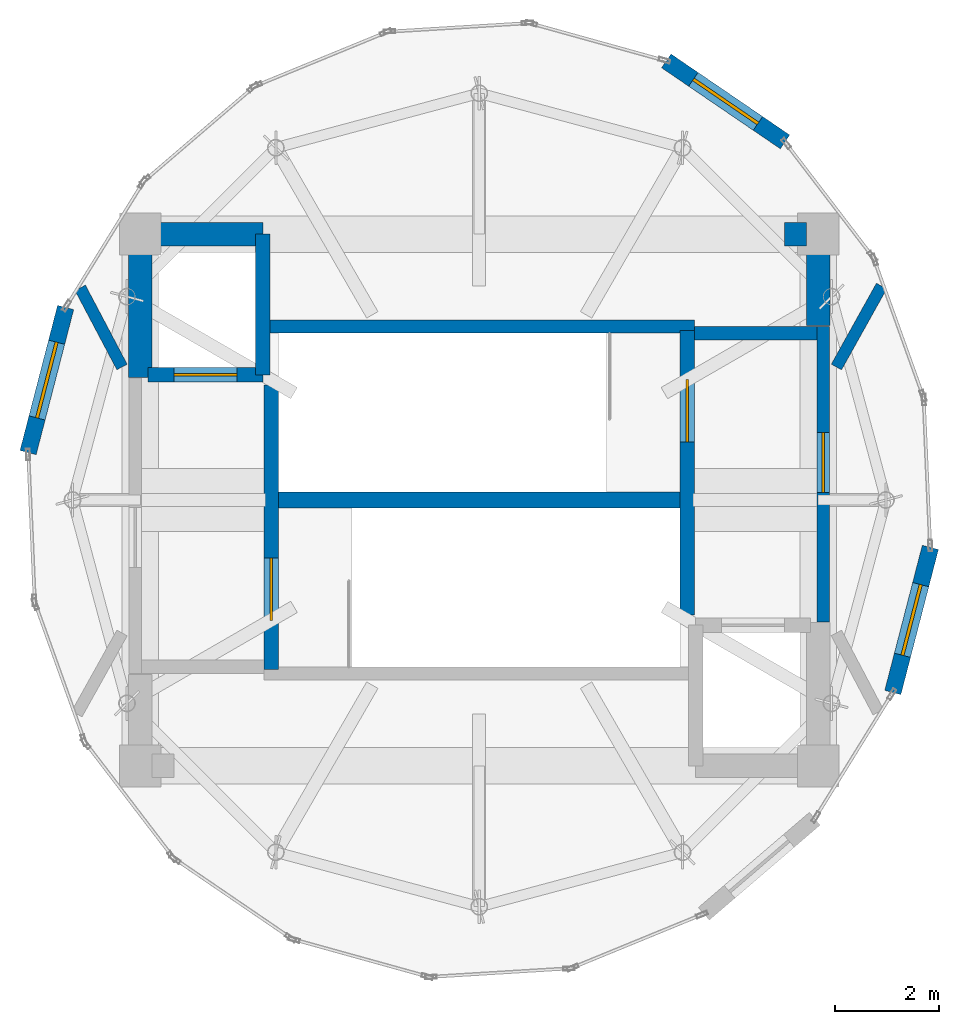
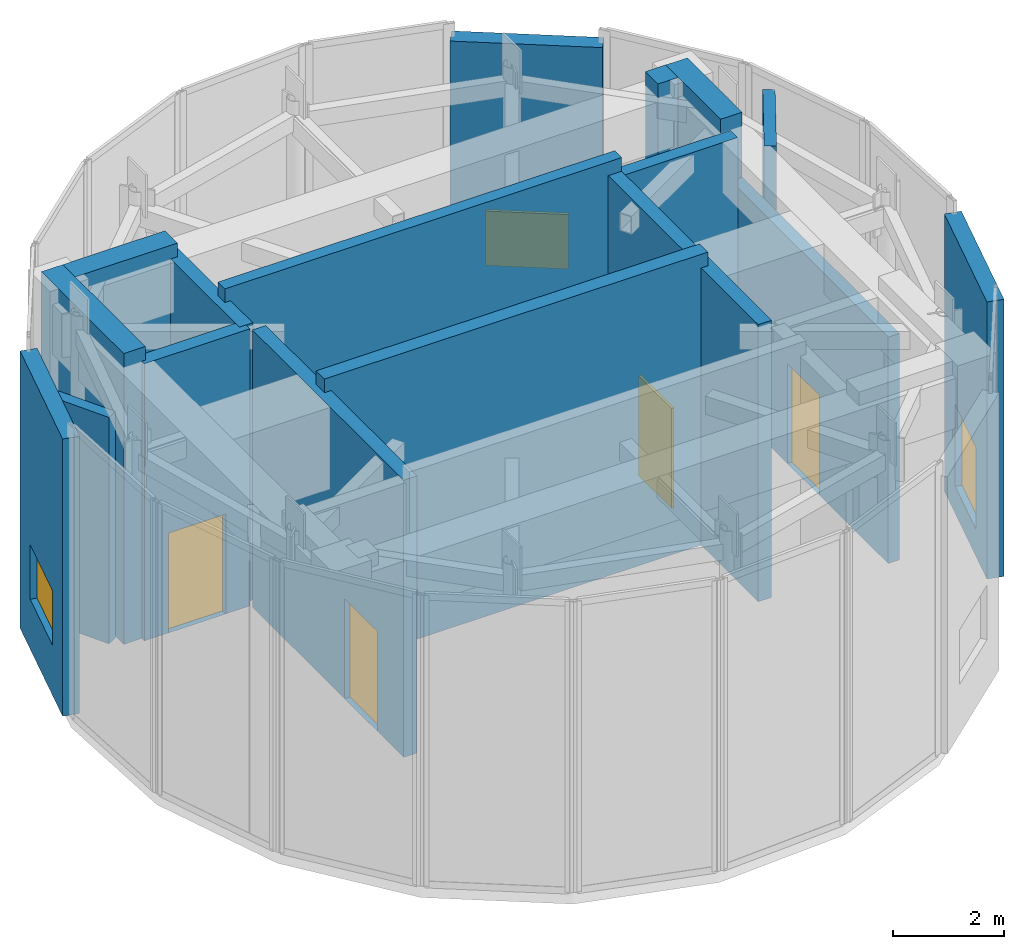
# One storey, part 6 of 7: 17 walls, 4 doors, 3 windows, 7 openings.
"""IFC4 building model written with IfcOpenShell, lengths in metres."""

import ifcopenshell
import ifcopenshell.guid

model = None  # the IFC model being written
_history = None  # IfcOwnerHistory: only IFC2X3 demands one
_inside = {}  # id of a spatial element -> (the spatial element, [elements in it])
_under = {}  # id of a project, library or spatial element -> (it, [spatial elements below it])
_declared = {}  # id of a project -> (the project, [libraries it declares])
_typed = {}  # id of a type object -> (the type object, [elements of that type])
_made_of = {}  # id of a material, layer set ... -> (it, [elements and type objects made of it])


def new_model(schema):
    """Start an empty IFC model of exactly this schema.

    Asked for "IFC4X3", IfcOpenShell would pick the latest addendum, in which some entities
    have other attributes; the version numbers below select the first issue.
    IFC2X3 requires an IfcOwnerHistory on every rooted entity: one is made here for all.
    """
    global model, _history
    if schema == "IFC4X3":
        model = ifcopenshell.file(schema_version=(4, 3, 0, 0))
    else:
        model = ifcopenshell.file(schema=schema)
    _inside.clear()
    _under.clear()
    _declared.clear()
    _typed.clear()
    _made_of.clear()
    _history = None
    if model.schema == "IFC2X3":
        org = make("IfcOrganization", Name="unknown")
        user = make(
            "IfcPersonAndOrganization",
            ThePerson=make("IfcPerson", FamilyName="unknown"),
            TheOrganization=org,
        )
        app = make(
            "IfcApplication",
            ApplicationDeveloper=org,
            Version="unknown",
            ApplicationFullName="unknown",
            ApplicationIdentifier="unknown",
        )
        _history = make(
            "IfcOwnerHistory",
            OwningUser=user,
            OwningApplication=app,
            ChangeAction="ADDED",
            CreationDate=0,
        )
    return model


def make(cls, **values):
    """One entity of the class cls with the attributes given. An attribute that is None is left unset."""
    return model.create_entity(
        cls, **{name: value for name, value in values.items() if value is not None}
    )


def rooted(cls, **values):
    """An entity with a GlobalId (a new one), such as an element, a storey or a relation."""
    return make(cls, GlobalId=ifcopenshell.guid.new(), OwnerHistory=_history, **values)


def si_unit(unit_type, name, prefix=None):
    """IfcSIUnit, for example si_unit("LENGTHUNIT", "METRE", prefix="MILLI")."""
    return make("IfcSIUnit", UnitType=unit_type, Prefix=prefix, Name=name)


def assignment(units):
    """IfcUnitAssignment: the units of a project."""
    return None if units is None else make("IfcUnitAssignment", Units=units)


def point(xyz):
    """IfcCartesianPoint."""
    return None if xyz is None else make("IfcCartesianPoint", Coordinates=xyz)


def direction(xyz):
    """IfcDirection."""
    return None if xyz is None else make("IfcDirection", DirectionRatios=xyz)


def frame(location, z_axis=None, x_axis=None):
    """IfcAxis2Placement3D, a coordinate frame: its origin and axes. An axis left out is left unset."""
    return make(
        "IfcAxis2Placement3D",
        Location=point(location),
        Axis=direction(z_axis),
        RefDirection=direction(x_axis),
    )


def frame_2d(location, x_axis=None):
    """IfcAxis2Placement2D, a coordinate frame in the plane: its origin and x axis."""
    return make(
        "IfcAxis2Placement2D", Location=point(location), RefDirection=direction(x_axis)
    )


def origin():
    """The frame at (0, 0, 0) with its axes left unset."""
    return frame((0.0, 0.0, 0.0))


def place(relative_to, where):
    """IfcLocalPlacement: puts the frame where relative to a parent placement (None: the world)."""
    return make(
        "IfcLocalPlacement", PlacementRelTo=relative_to, RelativePlacement=where
    )


def context(
    kind, dimensions, precision=None, world=None, true_north=None, identifier=None
):
    """IfcGeometricRepresentationContext, for example the 3D "Model" context."""
    return make(
        "IfcGeometricRepresentationContext",
        ContextIdentifier=identifier,
        ContextType=kind,
        CoordinateSpaceDimension=dimensions,
        Precision=precision,
        WorldCoordinateSystem=world,
        TrueNorth=true_north,
    )


def subcontext(parent, identifier, kind, view, scale=None):
    """IfcGeometricRepresentationSubContext, for example "Body" below "Model"."""
    return make(
        "IfcGeometricRepresentationSubContext",
        ContextIdentifier=identifier,
        ContextType=kind,
        ParentContext=parent,
        TargetScale=scale,
        TargetView=view,
    )


def project(units=None, contexts=None):
    """IfcProject with its units and contexts."""
    return rooted(
        "IfcProject",
        Name="project",
        RepresentationContexts=contexts,
        UnitsInContext=assignment(units),
    )


def spatial(cls, under=None, at=None, **own):
    """A site, building, storey or space (cls), placed at a placement, below another one or the project."""
    s = rooted(cls, ObjectPlacement=at, **own)
    if under is not None:
        _under.setdefault(under.id(), (under, []))[1].append(s)
    return s


def profile(cls, at=None, kind="AREA", **sizes):
    """A parametric profile (cls). Its sizes go by their IFC names, for example OverallWidth=200.0."""
    return make(cls, ProfileType=kind, Position=at, **sizes)


def rectangle(**sizes):
    """IfcRectangleProfileDef."""
    return profile("IfcRectangleProfileDef", **sizes)


def extrude(swept, where, along, depth):
    """IfcExtrudedAreaSolid: the profile swept, set in the frame where, extruded along a direction by depth."""
    return make(
        "IfcExtrudedAreaSolid",
        SweptArea=swept,
        Position=where,
        ExtrudedDirection=direction(along),
        Depth=depth,
    )


def shape(context_of_items, identifier, shape_type, items):
    """IfcShapeRepresentation: the items that make up one representation, for example the "Body"."""
    return make(
        "IfcShapeRepresentation",
        ContextOfItems=context_of_items,
        RepresentationIdentifier=identifier,
        RepresentationType=shape_type,
        Items=items,
    )


def material(Name=None, Category=None):
    """IfcMaterial."""
    return make("IfcMaterial", Name=Name, Category=Category)


def layer(
    of_material, thickness, ventilated=None, Name=None, Category=None, Priority=None
):
    """IfcMaterialLayer: one layer of a wall or slab, of a material (None: an air gap)."""
    return make(
        "IfcMaterialLayer",
        Material=of_material,
        LayerThickness=thickness,
        IsVentilated=ventilated,
        Name=Name,
        Category=Category,
        Priority=Priority,
    )


def layer_set(layers, Name=None):
    """IfcMaterialLayerSet."""
    return make("IfcMaterialLayerSet", MaterialLayers=layers, LayerSetName=Name)


def made_of(thing, what):
    """Note that an element or type object is made of a material, layer set ...; save() writes the relation."""
    if what is not None:
        _made_of.setdefault(what.id(), (what, []))[1].append(thing)
    return thing


def type_object(cls, material=None, **own):
    """A type object (cls), such as IfcWallType, which elements share."""
    return made_of(rooted(cls, **own), material)


def element(
    cls,
    number,
    at=None,
    inside=None,
    cuts=None,
    type_object=None,
    material=None,
    context=None,
    identifier="Body",
    shape_type=None,
    held_by="IfcProductDefinitionShape",
    body=None,
    shapes=None,
    **own,
):
    """One element of the class cls, such as IfcWall. Its Tag is "e" and its number.

    at: its placement. inside: the storey or other place that contains it. cuts: it is an
    opening in that element (IfcRelVoidsElement). A single representation is given by context,
    identifier, shape_type and body (its items); several are given by shapes. held_by: the class
    of the entity that holds the representations. save() writes the other relations.
    """
    e = rooted(cls, Tag="e%d" % number, ObjectPlacement=at, **own)
    if body is not None:
        shapes = [shape(context, identifier, shape_type, body)]
    if shapes is not None:
        e.Representation = make(held_by, Representations=shapes)
    if inside is not None:
        _inside.setdefault(inside.id(), (inside, []))[1].append(e)
    if cuts is not None:
        rooted(
            "IfcRelVoidsElement", RelatingBuildingElement=cuts, RelatedOpeningElement=e
        )
    if type_object is not None:
        _typed.setdefault(type_object.id(), (type_object, []))[1].append(e)
    return made_of(e, material)


def fill(opening, filler):
    """IfcRelFillsElement: the door or window that sits in an opening."""
    return rooted(
        "IfcRelFillsElement",
        RelatingOpeningElement=opening,
        RelatedBuildingElement=filler,
    )


def aggregate(whole, parts):
    """IfcRelAggregates: a whole, such as a stair, and the parts it consists of."""
    return rooted("IfcRelAggregates", RelatingObject=whole, RelatedObjects=parts)


def save(model, path):
    """Write the relations noted so far, then the file.

    IfcRelAggregates (storeys below a building ...), IfcRelContainedInSpatialStructure (elements
    in a storey), IfcRelDefinesByType, IfcRelAssociatesMaterial and IfcRelDeclares: one each for
    every whole, place, type object, material and project.
    """
    for whole, parts in _under.values():
        aggregate(whole, parts)
    for where, things in _inside.values():
        rooted(
            "IfcRelContainedInSpatialStructure",
            RelatedElements=things,
            RelatingStructure=where,
        )
    for kind, things in _typed.values():
        rooted("IfcRelDefinesByType", RelatedObjects=things, RelatingType=kind)
    for what, things in _made_of.values():
        rooted("IfcRelAssociatesMaterial", RelatedObjects=things, RelatingMaterial=what)
    for by, libraries in _declared.values():
        rooted("IfcRelDeclares", RelatingContext=by, RelatedDefinitions=libraries)
    model.write(path)


model = new_model("IFC4")

# Units and contexts
model_context = context("Model", 3, precision=1e-05, world=origin(), true_north=direction((0.0, 1.0)))
body_context = subcontext(model_context, "Body", "Model", "MODEL_VIEW")
ifc_project = project(units=[si_unit("LENGTHUNIT", "METRE"), si_unit("AREAUNIT", "SQUARE_METRE"), si_unit("VOLUMEUNIT", "CUBIC_METRE"), si_unit("PLANEANGLEUNIT", "RADIAN"), si_unit("MASSUNIT", "GRAM", prefix="KILO")], contexts=[model_context])

# Site, building, storey
site_placement = place(None, origin())
site = spatial("IfcSite", under=ifc_project, at=site_placement, CompositionType="ELEMENT")
building_placement = place(site_placement, origin())
building = spatial("IfcBuilding", under=site, at=building_placement, Name="Solvirekh Grand Hotel", CompositionType="ELEMENT")
storey_placement = place(building_placement, frame((0.0, 0.0, 333.800048828125)))
storey = spatial("IfcBuildingStorey", under=building, at=storey_placement, Name="L83", CompositionType="ELEMENT", Elevation=333.800048828125)

# Wall
ifc_material_1 = material(Name="Concrete C50/60", Category="concrete")
ifc_layer_1 = layer(ifc_material_1, 0.35009765625)
ifc_layer_set_1 = layer_set([ifc_layer_1], Name="Concrete C50/60")
wall_type_1 = type_object("IfcWallType", Name="CoreDivWall_RC350", PredefinedType="SOLIDWALL", material=ifc_layer_set_1)
wall_1_placement = place(storey_placement, frame((-4.1298828125, 3.324951171875, 0.0), z_axis=(0.0, 0.0, 1.0), x_axis=(1.0, 0.0, 0.0)))
element("IfcWall", 1, at=wall_1_placement, inside=storey, type_object=wall_type_1, Name="L83 core stair box wall ST-N", PredefinedType="SOLIDWALL", context=body_context, shape_type="SweptSolid", body=[
    extrude(rectangle(XDim=8.259765625, YDim=0.25, at=frame_2d((4.1298828125, 0.0))), origin(), (0.0, 0.0, 1.0), 6.39990234375),
])

# Wall, opening, door
ifc_material_2 = material(Name="Concrete C40/50", Category="concrete")
ifc_layer_2 = layer(ifc_material_2, 0.280029296875)
ifc_layer_set_2 = layer_set([ifc_layer_2], Name="Concrete C40/50")
wall_type_2 = type_object("IfcWallType", Name="CoreShaftWall_RC280", PredefinedType="SOLIDWALL", material=ifc_layer_set_2)
wall_2_placement = place(storey_placement, frame((-6.35009765625, 2.39990234375, 0.0), z_axis=(0.0, 0.0, 1.0), x_axis=(1.0, 0.0, 0.0)))
wall_2 = element("IfcWall", 2, at=wall_2_placement, inside=storey, type_object=wall_type_2, Name="L83 FL-1 hoistway S wall", PredefinedType="SOLIDWALL", context=body_context, shape_type="SweptSolid", body=[
    extrude(rectangle(XDim=2.2001953125, YDim=0.280029296875, at=frame_2d((1.10009765625, 0.0))), origin(), (0.0, 0.0, 1.0), 6.099853515625),
])
opening_1_placement = place(wall_2_placement, frame((0.5, 0.0, 0.0)))
opening_1 = element("IfcOpeningElement", 3, at=opening_1_placement, cuts=wall_2, Name="Opening LD02", PredefinedType="OPENING", context=body_context, shape_type="SweptSolid", body=[
    extrude(rectangle(XDim=1.199951171875, YDim=2.199951171875, at=frame_2d((0.60009765625, 1.10009765625))), frame((0.0, 0.14990234375, 0.0), z_axis=(0.0, -1.0, 0.0), x_axis=(1.0, 0.0, 0.0)), (0.0, 0.0, 1.0), 0.300048828125),
])
ifc_material_3 = material(Name="Fire-Rated Steel Door Assembly", Category="steel")
door_type_1 = type_object("IfcDoorType", Name="Door_LiftFF_1200X2200", OperationType="SLIDING_TO_LEFT", PredefinedType="DOOR", material=ifc_material_3)
door_1_placement = place(opening_1_placement, origin())
door_1 = element("IfcDoor", 4, at=door_1_placement, inside=storey, type_object=door_type_1, Name="L83 FL-1 sliding lift landing door", OperationType="SLIDING_TO_LEFT", OverallHeight=2.199951171875, OverallWidth=1.199951171875, PredefinedType="DOOR", context=body_context, shape_type="SweptSolid", body=[
    extrude(rectangle(XDim=1.199951171875, YDim=2.199951171875, at=frame_2d((0.60009765625, 1.10009765625))), frame((0.0, 0.02490234375, 0.0), z_axis=(0.0, -1.0, 0.0), x_axis=(1.0, 0.0, 0.0)), (0.0, 0.0, 1.0), 0.050048828125),
])
fill(opening_1, door_1)

# Wall
wall_3_placement = place(storey_placement, frame((-4.14990234375, 2.39990234375, 0.0), z_axis=(0.0, 0.0, 1.0), x_axis=(0.0, 1.0, 0.0)))
element("IfcWall", 5, at=wall_3_placement, inside=storey, type_object=wall_type_2, Name="L83 FL-1 hoistway E wall", PredefinedType="SOLIDWALL", context=body_context, shape_type="SweptSolid", body=[
    extrude(rectangle(XDim=2.7001953125, YDim=0.280029296875, at=frame_2d((1.35009765625, 0.0))), origin(), (0.0, 0.0, 1.0), 6.099853515625),
])

# Wall, opening, door
wall_4_placement = place(storey_placement, frame((-3.989990234375, -3.25, 0.0), z_axis=(0.0, 0.0, 1.0), x_axis=(0.0, 1.0, 0.0)))
wall_4 = element("IfcWall", 6, at=wall_4_placement, inside=storey, type_object=wall_type_2, Name="L83 west stair landing enclosure wall", PredefinedType="SOLIDWALL", context=body_context, shape_type="SweptSolid", body=[
    extrude(rectangle(XDim=5.4599609375, YDim=0.280029296875, at=frame_2d((2.72998046875, 0.0))), origin(), (0.0, 0.0, 1.0), 6.099853515625),
])
opening_2_placement = place(wall_4_placement, frame((0.93701171875, 0.0, 0.0)))
opening_2 = element("IfcOpeningElement", 7, at=opening_2_placement, cuts=wall_4, Name="Opening D05", PredefinedType="OPENING", context=body_context, shape_type="SweptSolid", body=[
    extrude(rectangle(XDim=1.199951171875, YDim=2.199951171875, at=frame_2d((0.60009765625, 1.10009765625))), frame((0.0, 0.14990234375, 0.0), z_axis=(0.0, -1.0, 0.0), x_axis=(1.0, 0.0, 0.0)), (0.0, 0.0, 1.0), 0.300048828125),
])
door_type_2 = type_object("IfcDoorType", Name="Door_StairCore_1200X2200", OperationType="NOTDEFINED", PredefinedType="DOOR", material=ifc_material_3)
door_2_placement = place(opening_2_placement, origin())
door_2 = element("IfcDoor", 8, at=door_2_placement, inside=storey, type_object=door_type_2, Name="L83 exit stair ST-1 fire door", OperationType="SINGLE_SWING_RIGHT", OverallHeight=2.199951171875, OverallWidth=1.199951171875, PredefinedType="DOOR", context=body_context, shape_type="SweptSolid", body=[
    extrude(rectangle(XDim=1.199951171875, YDim=2.199951171875, at=frame_2d((0.60009765625, 1.10009765625))), frame((0.0, 0.02490234375, 0.0), z_axis=(0.0, -1.0, 0.0), x_axis=(1.0, 0.0, 0.0)), (0.0, 0.0, 1.0), 0.050048828125),
])
fill(opening_2, door_2)

wall_5_placement = place(storey_placement, frame((3.989990234375, -2.2099609375, 0.0), z_axis=(0.0, 0.0, 1.0), x_axis=(0.0, 1.0, 0.0)))
wall_5 = element("IfcWall", 9, at=wall_5_placement, inside=storey, type_object=wall_type_2, Name="L83 east stair landing enclosure wall", PredefinedType="SOLIDWALL", context=body_context, shape_type="SweptSolid", body=[
    extrude(rectangle(XDim=5.4599609375, YDim=0.280029296875, at=frame_2d((2.72998046875, 0.0))), origin(), (0.0, 0.0, 1.0), 6.099853515625),
])
opening_3_placement = place(wall_5_placement, frame((3.322998046875, 0.0, 0.0)))
opening_3 = element("IfcOpeningElement", 10, at=opening_3_placement, cuts=wall_5, Name="Opening D05", PredefinedType="OPENING", context=body_context, shape_type="SweptSolid", body=[
    extrude(rectangle(XDim=1.199951171875, YDim=2.199951171875, at=frame_2d((0.60009765625, 1.10009765625))), frame((0.0, 0.14990234375, 0.0), z_axis=(0.0, -1.0, 0.0), x_axis=(1.0, 0.0, 0.0)), (0.0, 0.0, 1.0), 0.300048828125),
])
door_3_placement = place(opening_3_placement, origin())
door_3 = element("IfcDoor", 11, at=door_3_placement, inside=storey, type_object=door_type_2, Name="L83 exit stair ST-2 fire door", OperationType="SINGLE_SWING_LEFT", OverallHeight=2.199951171875, OverallWidth=1.199951171875, PredefinedType="DOOR", context=body_context, shape_type="SweptSolid", body=[
    extrude(rectangle(XDim=1.199951171875, YDim=2.199951171875, at=frame_2d((0.60009765625, 1.10009765625))), frame((0.0, 0.02490234375, 0.0), z_axis=(0.0, -1.0, 0.0), x_axis=(1.0, 0.0, 0.0)), (0.0, 0.0, 1.0), 0.050048828125),
])
fill(opening_3, door_3)

# Walls
ifc_layer_3 = layer(ifc_material_1, 0.449951171875)
ifc_layer_set_3 = layer_set([ifc_layer_3], Name="Concrete C50/60")
wall_type_3 = type_object("IfcWallType", Name="CoreWall_RC450", PredefinedType="SHEAR", material=ifc_layer_set_3)
wall_6_placement = place(storey_placement, frame((-3.989990234375, 0.0, 0.0), z_axis=(0.0, 0.0, 1.0), x_axis=(1.0, 0.0, 0.0)))
element("IfcWall", 12, at=wall_6_placement, inside=storey, type_object=wall_type_3, Name="L83 central stair-spine shear wall", PredefinedType="SHEAR", context=body_context, shape_type="SweptSolid", body=[
    extrude(rectangle(XDim=7.97998046875, YDim=0.300048828125, at=frame_2d((3.989990234375, 0.0))), origin(), (0.0, 0.0, 1.0), 6.39990234375),
])
wall_7_placement = place(storey_placement, frame((-6.27490234375, 5.10009765625, 0.0), z_axis=(0.0, 0.0, 1.0), x_axis=(1.0, 0.0, 0.0)))
element("IfcWall", 13, at=wall_7_placement, inside=storey, type_object=wall_type_3, Name="L83 core corner shear wall NW-N", PredefinedType="SHEAR", context=body_context, shape_type="SweptSolid", body=[
    extrude(rectangle(XDim=2.125, YDim=0.449951171875, at=frame_2d((1.0625, 0.0))), origin(), (0.0, 0.0, 1.0), 6.39990234375),
])
wall_8_placement = place(storey_placement, frame((5.85009765625, 5.10009765625, 0.0), z_axis=(0.0, 0.0, 1.0), x_axis=(1.0, 0.0, 0.0)))
element("IfcWall", 14, at=wall_8_placement, inside=storey, type_object=wall_type_3, Name="L83 core corner shear wall NE-N", PredefinedType="SHEAR", context=body_context, shape_type="SweptSolid", body=[
    extrude(rectangle(XDim=0.4248046875, YDim=0.449951171875, at=frame_2d((0.21240234375, 0.0))), origin(), (0.0, 0.0, 1.0), 6.39990234375),
])
wall_9_placement = place(storey_placement, frame((-6.5, 2.35009765625, 0.0), z_axis=(0.0, 0.0, 1.0), x_axis=(0.0, 1.0, 0.0)))
element("IfcWall", 15, at=wall_9_placement, inside=storey, type_object=wall_type_3, Name="L83 core corner shear wall WN-W", PredefinedType="SHEAR", context=body_context, shape_type="SweptSolid", body=[
    extrude(rectangle(XDim=2.974853515625, YDim=0.449951171875, at=frame_2d((1.4873046875, 0.0))), origin(), (0.0, 0.0, 1.0), 6.39990234375),
])
wall_10_placement = place(storey_placement, frame((6.5, 3.35009765625, 0.0), z_axis=(0.0, 0.0, 1.0), x_axis=(0.0, 1.0, 0.0)))
element("IfcWall", 16, at=wall_10_placement, inside=storey, type_object=wall_type_3, Name="L83 core corner shear wall EN-E", PredefinedType="SHEAR", context=body_context, shape_type="SweptSolid", body=[
    extrude(rectangle(XDim=1.974853515625, YDim=0.449951171875, at=frame_2d((0.9873046875, 0.0))), origin(), (0.0, 0.0, 1.0), 6.39990234375),
])

# Wall, opening, window
ifc_material_4 = material(Name="Precast concrete C45/55", Category="concrete")
ifc_layer_4 = layer(ifc_material_4, 0.320068359375)
ifc_layer_set_4 = layer_set([ifc_layer_4], Name="Precast concrete C45/55")
wall_type_4 = type_object("IfcWallType", Name="ExtLobbyWall_RC320", PredefinedType="SOLIDWALL", material=ifc_layer_set_4)
wall_11_placement = place(storey_placement, frame((8.652099609375, -0.908935546875, 0.0), z_axis=(0.0, 0.0, 1.0), x_axis=(-0.250540655551, -0.968106078855, 0.0)))
wall_11 = element("IfcWall", 17, at=wall_11_placement, inside=storey, type_object=wall_type_4, Name="L83 exterior structural wall chord 5", PredefinedType="SOLIDWALL", context=body_context, shape_type="SweptSolid", body=[
    extrude(rectangle(XDim=2.874755859375, YDim=0.320068359375, at=frame_2d((1.4375, 0.0))), origin(), (0.0, 0.0, 1.0), 6.099853515625),
])
opening_4_placement = place(wall_11_placement, frame((0.737060546875, 0.0, 0.60009765625)))
opening_4 = element("IfcOpeningElement", 18, at=opening_4_placement, cuts=wall_11, Name="Opening SK03", PredefinedType="OPENING", context=body_context, shape_type="SweptSolid", body=[
    extrude(rectangle(XDim=1.39990234375, YDim=1.800048828125, at=frame_2d((0.699951171875, 0.89990234375))), frame((0.0, 0.169921875, 0.0), z_axis=(0.0, -1.0, 0.0), x_axis=(1.0, 0.0, 0.0)), (0.0, 0.0, 1.0), 0.340087890625),
])
ifc_material_5 = material(Name="Champagne Low-Iron Crown Laminated Glass", Category="glass")
window_type_1 = type_object("IfcWindowType", Name="Skylight_Crown_1400X1800", PartitioningType="SINGLE_PANEL", PredefinedType="SKYLIGHT", material=ifc_material_5)
window_1_placement = place(opening_4_placement, origin())
window_1 = element("IfcWindow", 19, at=window_1_placement, inside=storey, type_object=window_type_1, Name="L83 high-level clerestory skylight 5", OverallHeight=1.800048828125, OverallWidth=1.39990234375, PartitioningType="SINGLE_PANEL", PredefinedType="SKYLIGHT", context=body_context, shape_type="SweptSolid", body=[
    extrude(rectangle(XDim=1.39990234375, YDim=1.800048828125, at=frame_2d((0.699951171875, 0.89990234375))), frame((0.0, 0.030029296875, 0.0), z_axis=(0.0, -1.0, 0.0), x_axis=(1.0, 0.0, 0.0)), (0.0, 0.0, 1.0), 0.06005859375),
])
fill(opening_4, window_1)

wall_12_placement = place(storey_placement, frame((3.587890625, 8.4208984375, 0.0), z_axis=(0.0, 0.0, 1.0), x_axis=(0.826045469982, -0.563603478983, 0.0)))
wall_12 = element("IfcWall", 20, at=wall_12_placement, inside=storey, type_object=wall_type_4, Name="L83 exterior structural wall chord 9", PredefinedType="SOLIDWALL", context=body_context, shape_type="SweptSolid", body=[
    extrude(rectangle(XDim=2.75537109375, YDim=0.320068359375, at=frame_2d((1.377685546875, 0.0))), origin(), (0.0, 0.0, 1.0), 6.099853515625),
])
opening_5_placement = place(wall_12_placement, frame((0.6279296875, 0.0, 1.10009765625)))
opening_5 = element("IfcOpeningElement", 21, at=opening_5_placement, cuts=wall_12, Name="Opening W05", PredefinedType="OPENING", context=body_context, shape_type="SweptSolid", body=[
    extrude(rectangle(XDim=1.5, YDim=1.199951171875, at=frame_2d((0.75, 0.60009765625))), frame((0.0, 0.169921875, 0.0), z_axis=(0.0, -1.0, 0.0), x_axis=(1.0, 0.0, 0.0)), (0.0, 0.0, 1.0), 0.340087890625),
])
ifc_material_6 = material(Name="Low-E Tinted Bronze Laminated Glass", Category="aluminium")
window_type_2 = type_object("IfcWindowType", Name="Win_PlantVent_1500X1200", PartitioningType="SINGLE_PANEL", PredefinedType="WINDOW", material=ifc_material_6)
window_2_placement = place(opening_5_placement, origin())
window_2 = element("IfcWindow", 22, at=window_2_placement, inside=storey, type_object=window_type_2, Name="L83 mechanical louvre window 9", OverallHeight=1.199951171875, OverallWidth=1.5, PartitioningType="SINGLE_PANEL", PredefinedType="WINDOW", context=body_context, shape_type="SweptSolid", body=[
    extrude(rectangle(XDim=1.5, YDim=1.199951171875, at=frame_2d((0.75, 0.60009765625))), frame((0.0, 0.030029296875, 0.0), z_axis=(0.0, -1.0, 0.0), x_axis=(1.0, 0.0, 0.0)), (0.0, 0.0, 1.0), 0.06005859375),
])
fill(opening_5, window_2)

wall_13_placement = place(storey_placement, frame((-8.652099609375, 0.908935546875, 0.0), z_axis=(0.0, 0.0, 1.0), x_axis=(0.250540655551, 0.968106078855, 0.0)))
wall_13 = element("IfcWall", 23, at=wall_13_placement, inside=storey, type_object=wall_type_4, Name="L83 exterior structural wall chord 15", PredefinedType="SOLIDWALL", context=body_context, shape_type="SweptSolid", body=[
    extrude(rectangle(XDim=2.874755859375, YDim=0.320068359375, at=frame_2d((1.4375, 0.0))), origin(), (0.0, 0.0, 1.0), 6.099853515625),
])
opening_6_placement = place(wall_13_placement, frame((0.68701171875, 0.0, 1.10009765625)))
opening_6 = element("IfcOpeningElement", 24, at=opening_6_placement, cuts=wall_13, Name="Opening W05", PredefinedType="OPENING", context=body_context, shape_type="SweptSolid", body=[
    extrude(rectangle(XDim=1.5, YDim=1.199951171875, at=frame_2d((0.75, 0.60009765625))), frame((0.0, 0.169921875, 0.0), z_axis=(0.0, -1.0, 0.0), x_axis=(1.0, 0.0, 0.0)), (0.0, 0.0, 1.0), 0.340087890625),
])
window_3_placement = place(opening_6_placement, origin())
window_3 = element("IfcWindow", 25, at=window_3_placement, inside=storey, type_object=window_type_2, Name="L83 mechanical louvre window 15", OverallHeight=1.199951171875, OverallWidth=1.5, PartitioningType="SINGLE_PANEL", PredefinedType="WINDOW", context=body_context, shape_type="SweptSolid", body=[
    extrude(rectangle(XDim=1.5, YDim=1.199951171875, at=frame_2d((0.75, 0.60009765625))), frame((0.0, 0.030029296875, 0.0), z_axis=(0.0, -1.0, 0.0), x_axis=(1.0, 0.0, 0.0)), (0.0, 0.0, 1.0), 0.06005859375),
])
fill(opening_6, window_3)

# Wall, opening, door
ifc_material_7 = material(Name="Acoustic Gypsum Partition Assembly")
ifc_layer_5 = layer(ifc_material_7, 0.239990234375)
ifc_layer_set_5 = layer_set([ifc_layer_5], Name="Acoustic Gypsum Partition Assembly")
wall_type_5 = type_object("IfcWallType", Name="Part_Corridor_240", PredefinedType="PARTITIONING", material=ifc_layer_set_5)
wall_14_placement = place(storey_placement, frame((6.60009765625, -2.340087890625, 0.0), z_axis=(0.0, 0.0, 1.0), x_axis=(0.0, 1.0, 0.0)))
wall_14 = element("IfcWall", 26, at=wall_14_placement, inside=storey, type_object=wall_type_5, Name="L83 east firefighting lobby smoke screen wall", PredefinedType="PARTITIONING", context=body_context, shape_type="SweptSolid", body=[
    extrude(rectangle(XDim=5.670166015625, YDim=0.239990234375, at=frame_2d((2.8349609375, 0.0))), origin(), (0.0, 0.0, 1.0), 4.98486328125),
])
opening_7_placement = place(wall_14_placement, frame((2.486083984375, 0.0, 0.0)))
opening_7 = element("IfcOpeningElement", 27, at=opening_7_placement, cuts=wall_14, Name="Opening D06", PredefinedType="OPENING", context=body_context, shape_type="SweptSolid", body=[
    extrude(rectangle(XDim=1.14990234375, YDim=2.199951171875, at=frame_2d((0.574951171875, 1.10009765625))), frame((0.0, 0.1298828125, 0.0), z_axis=(0.0, -1.0, 0.0), x_axis=(1.0, 0.0, 0.0)), (0.0, 0.0, 1.0), 0.260009765625),
])
door_type_3 = type_object("IfcDoorType", Name="Door_FFLobby_1150X2200", OperationType="NOTDEFINED", PredefinedType="DOOR", material=ifc_material_3)
door_4_placement = place(opening_7_placement, origin())
door_4 = element("IfcDoor", 28, at=door_4_placement, inside=storey, type_object=door_type_3, Name="L83 east firefighting lobby smoke door", OperationType="SINGLE_SWING_LEFT", OverallHeight=2.199951171875, OverallWidth=1.14990234375, PredefinedType="DOOR", context=body_context, shape_type="SweptSolid", body=[
    extrude(rectangle(XDim=1.14990234375, YDim=2.199951171875, at=frame_2d((0.574951171875, 1.10009765625))), frame((0.0, 0.02490234375, 0.0), z_axis=(0.0, -1.0, 0.0), x_axis=(1.0, 0.0, 0.0)), (0.0, 0.0, 1.0), 0.050048828125),
])
fill(opening_7, door_4)

# Walls
ifc_layer_6 = layer(ifc_material_7, 0.260009765625)
ifc_layer_set_6 = layer_set([ifc_layer_6], Name="Acoustic Gypsum Partition Assembly")
wall_type_6 = type_object("IfcWallType", Name="Part_LobbyFF_260", PredefinedType="PARTITIONING", material=ifc_layer_set_6)
wall_15_placement = place(storey_placement, frame((4.1298828125, 3.199951171875, 0.0), z_axis=(0.0, 0.0, 1.0), x_axis=(1.0, 0.0, 0.0)))
element("IfcWall", 29, at=wall_15_placement, inside=storey, type_object=wall_type_6, Name="L83 east firefighting lobby north partition", PredefinedType="PARTITIONING", context=body_context, shape_type="SweptSolid", body=[
    extrude(rectangle(XDim=2.34521484375, YDim=0.260009765625, at=frame_2d((1.172607421875, 0.0))), origin(), (0.0, 0.0, 1.0), 6.099853515625),
])
ifc_layer_7 = layer(ifc_material_4, 0.22509765625)
ifc_layer_set_7 = layer_set([ifc_layer_7], Name="Precast concrete C45/55")
wall_type_7 = type_object("IfcWallType", Name="Part_Plant_225", PredefinedType="PARTITIONING", material=ifc_layer_set_7)
wall_16_placement = place(storey_placement, frame((-6.85009765625, 2.550048828125, 0.0), z_axis=(0.0, 0.0, 1.0), x_axis=(-0.466888304663, 0.884316295773, 0.0)))
element("IfcWall", 30, at=wall_16_placement, inside=storey, type_object=wall_type_7, Name="L83 west crown plant north wall", PredefinedType="PARTITIONING", context=body_context, shape_type="SweptSolid", body=[
    extrude(rectangle(XDim=1.7177734375, YDim=0.22509765625, at=frame_2d((0.85888671875, 0.0))), origin(), (0.0, 0.0, 1.0), 4.98486328125),
])
wall_17_placement = place(storey_placement, frame((6.85009765625, 2.550048828125, 0.0), z_axis=(0.0, 0.0, 1.0), x_axis=(0.487017962395, 0.873391953423, 0.0)))
element("IfcWall", 31, at=wall_17_placement, inside=storey, type_object=wall_type_7, Name="L83 east crown plant north wall", PredefinedType="PARTITIONING", context=body_context, shape_type="SweptSolid", body=[
    extrude(rectangle(XDim=1.778076171875, YDim=0.22509765625, at=frame_2d((0.88916015625, 0.0))), origin(), (0.0, 0.0, 1.0), 6.099853515625),
])

save(model, "model.ifc")
